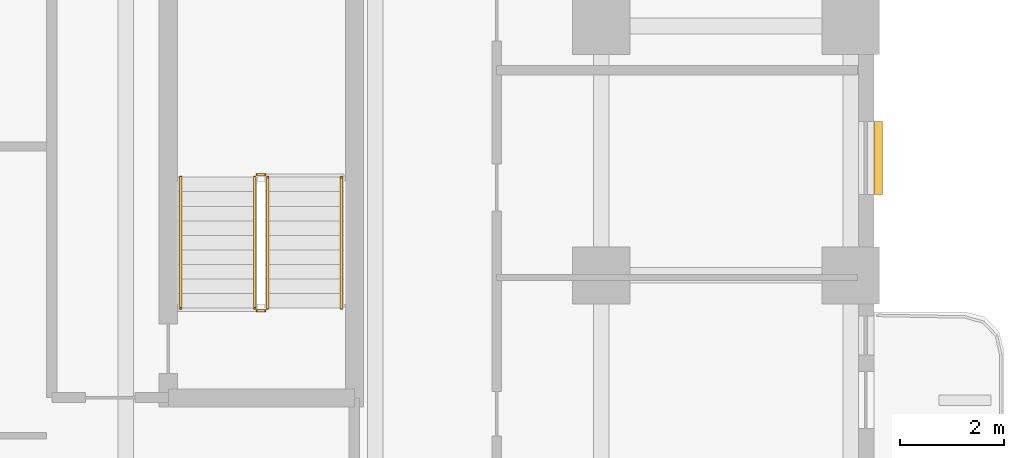
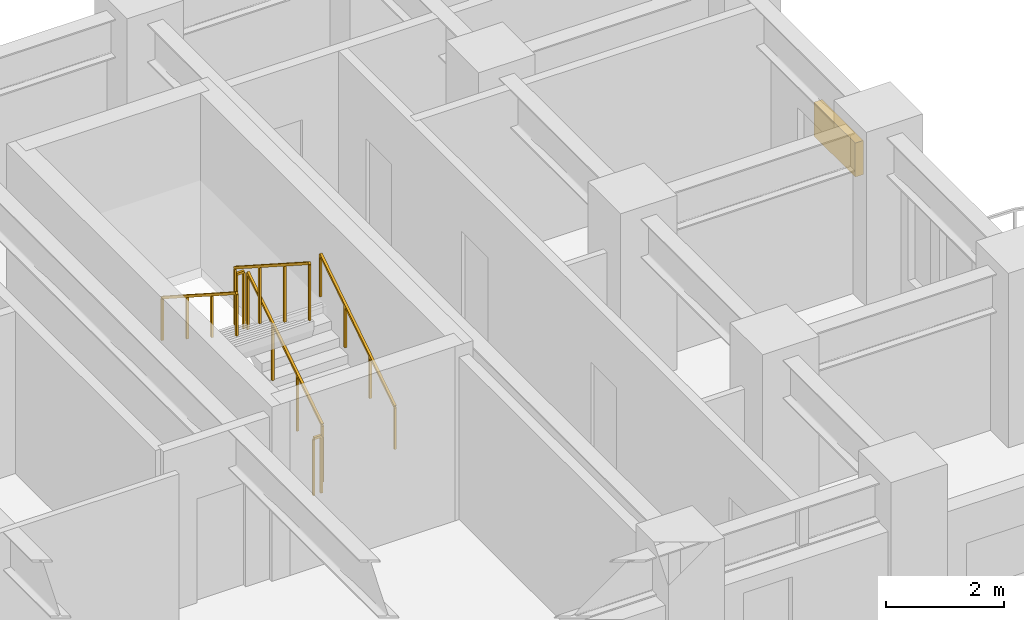
# One storey, part 11 of 11: 6 railings, 1 shading device.
"""IFC4 building model written with IfcOpenShell, lengths in metres."""

from ifc_helpers import new_model, si_unit, direction, frame, origin, origin_2d, place, context, subcontext, project, spatial, rectangle, extrude, material, type_object, element, save


model = new_model("IFC4")

# Units and contexts
model_context = context("Model", 3, precision=1e-05, world=origin(), true_north=direction((0.0, 1.0)))
body_context = subcontext(model_context, "Body", "Model", "MODEL_VIEW")
ifc_project = project(units=[si_unit("LENGTHUNIT", "METRE"), si_unit("AREAUNIT", "SQUARE_METRE"), si_unit("VOLUMEUNIT", "CUBIC_METRE"), si_unit("PLANEANGLEUNIT", "RADIAN"), si_unit("MASSUNIT", "GRAM", prefix="KILO")], contexts=[model_context])

# Site, building, storey
site_placement = place(None, origin())
site = spatial("IfcSite", under=ifc_project, at=site_placement, CompositionType="ELEMENT")
building_placement = place(site_placement, origin())
building = spatial("IfcBuilding", under=site, at=building_placement, Name="Orvandelia Arch Residences", CompositionType="ELEMENT")
storey_placement = place(building_placement, frame((0.0, 0.0, 89.800048828125)))
storey = spatial("IfcBuildingStorey", under=building, at=storey_placement, Name="L23", CompositionType="ELEMENT", Elevation=89.800048828125)

# Railings
ifc_material_1 = material(Name="Brushed Stainless Steel 304", Category="steel")
railing_type_1 = type_object("IfcRailingType", Name="RL-STAIR-GD1120", PredefinedType="GUARDRAIL", material=ifc_material_1)
railing_1_placement = place(storey_placement, frame((45.929931640625, 37.77001953125, 0.179931640625)))
element("IfcRailing", 1, at=railing_1_placement, inside=storey, type_object=railing_type_1, Name="L23 ST-3 stair guard 1", PredefinedType="GUARDRAIL", context=body_context, shape_type="SweptSolid", body=[
    extrude(rectangle(XDim=0.048095703125, YDim=0.048095703125, at=origin_2d()), frame((0.0, 0.0, 1.17578125), z_axis=(0.0, 0.841162588446, 0.540782303519), x_axis=(-1.0, 0.0, 0.0)), (0.0, 0.0, 1.0), 2.995849609375),
    extrude(rectangle(XDim=0.0419921875, YDim=0.0419921875, at=origin_2d()), origin(), (0.0, 0.0, 1.0), 1.15185546875),
    extrude(rectangle(XDim=0.0419921875, YDim=0.0419921875, at=origin_2d()), frame((0.0, 0.840087890625, 0.5400390625)), (0.0, 0.0, 1.0), 1.15185546875),
    extrude(rectangle(XDim=0.0419921875, YDim=0.0419921875, at=origin_2d()), frame((0.0, 1.679931640625, 1.080078125)), (0.0, 0.0, 1.0), 1.15185546875),
    extrude(rectangle(XDim=0.0419921875, YDim=0.0419921875, at=origin_2d()), frame((0.0, 2.52001953125, 1.6201171875)), (0.0, 0.0, 1.0), 1.15185546875),
])
railing_2_placement = place(storey_placement, frame((45.8798828125, 40.340087890625, 1.800048828125)))
element("IfcRailing", 2, at=railing_2_placement, inside=storey, type_object=railing_type_1, Name="L23 ST-3 stair guard 2", PredefinedType="GUARDRAIL", context=body_context, shape_type="SweptSolid", body=[
    extrude(rectangle(XDim=0.048095703125, YDim=0.048095703125, at=origin_2d()), frame((0.0, 0.0, 1.17578125), z_axis=(-1.0, 0.0, 0.0), x_axis=(0.0, -1.0, 0.0)), (0.0, 0.0, 1.0), 0.14990234375),
    extrude(rectangle(XDim=0.0419921875, YDim=0.0419921875, at=origin_2d()), origin(), (0.0, 0.0, 1.0), 1.15185546875),
    extrude(rectangle(XDim=0.0419921875, YDim=0.0419921875, at=origin_2d()), frame((-0.14990234375, 0.0, 0.0)), (0.0, 0.0, 1.0), 1.15185546875),
])
railing_3_placement = place(storey_placement, frame((45.679931640625, 40.2900390625, 1.97998046875)))
element("IfcRailing", 3, at=railing_3_placement, inside=storey, type_object=railing_type_1, Name="L23 ST-3 stair guard 3", PredefinedType="GUARDRAIL", context=body_context, shape_type="SweptSolid", body=[
    extrude(rectangle(XDim=0.048095703125, YDim=0.048095703125, at=origin_2d()), frame((0.0, 0.0, 1.17578125), z_axis=(0.0, -0.841199657755, 0.540724639528), x_axis=(1.0, 0.0, 0.0)), (0.0, 0.0, 1.0), 2.995849609375),
    extrude(rectangle(XDim=0.0419921875, YDim=0.0419921875, at=origin_2d()), origin(), (0.0, 0.0, 1.0), 1.15185546875),
    extrude(rectangle(XDim=0.0419921875, YDim=0.0419921875, at=origin_2d()), frame((0.0, -0.840087890625, 0.5400390625)), (0.0, 0.0, 1.0), 1.15185546875),
    extrude(rectangle(XDim=0.0419921875, YDim=0.0419921875, at=origin_2d()), frame((0.0, -1.679931640625, 1.079833984375)), (0.0, 0.0, 1.0), 1.15185546875),
    extrude(rectangle(XDim=0.0419921875, YDim=0.0419921875, at=origin_2d()), frame((0.0, -2.52001953125, 1.619873046875)), (0.0, 0.0, 1.0), 1.15185546875),
])
railing_4_placement = place(storey_placement, frame((45.8798828125, 37.719970703125, 0.0)))
element("IfcRailing", 4, at=railing_4_placement, inside=storey, type_object=railing_type_1, Name="L23 ST-3 stair guard 4", PredefinedType="GUARDRAIL", context=body_context, shape_type="SweptSolid", body=[
    extrude(rectangle(XDim=0.048095703125, YDim=0.048095703125, at=origin_2d()), frame((0.0, 0.0, 1.17578125), z_axis=(-1.0, 0.0, 0.0), x_axis=(0.0, -1.0, 0.0)), (0.0, 0.0, 1.0), 0.14990234375),
    extrude(rectangle(XDim=0.0419921875, YDim=0.0419921875, at=origin_2d()), origin(), (0.0, 0.0, 1.0), 1.15185546875),
    extrude(rectangle(XDim=0.0419921875, YDim=0.0419921875, at=origin_2d()), frame((-0.14990234375, 0.0, 0.0)), (0.0, 0.0, 1.0), 1.15185546875),
])
railing_type_2 = type_object("IfcRailingType", Name="RL-STAIR-HR920", PredefinedType="HANDRAIL", material=ifc_material_1)
railing_5_placement = place(storey_placement, frame((47.35009765625, 37.77001953125, 0.35986328125)))
element("IfcRailing", 5, at=railing_5_placement, inside=storey, type_object=railing_type_2, Name="L23 ST-3 stair handrail 1", PredefinedType="HANDRAIL", context=body_context, shape_type="SweptSolid", body=[
    extrude(rectangle(XDim=0.048095703125, YDim=0.048095703125, at=origin_2d()), frame((0.0, 0.0, 0.8759765625), z_axis=(0.0, 0.841162588446, 0.540782303519), x_axis=(-1.0, 0.0, 0.0)), (0.0, 0.0, 1.0), 2.995849609375),
    extrude(rectangle(XDim=0.0419921875, YDim=0.0419921875, at=origin_2d()), origin(), (0.0, 0.0, 1.0), 0.851806640625),
    extrude(rectangle(XDim=0.0419921875, YDim=0.0419921875, at=origin_2d()), frame((0.0, 0.840087890625, 0.5400390625)), (0.0, 0.0, 1.0), 0.851806640625),
    extrude(rectangle(XDim=0.0419921875, YDim=0.0419921875, at=origin_2d()), frame((0.0, 1.679931640625, 1.080078125)), (0.0, 0.0, 1.0), 0.851806640625),
    extrude(rectangle(XDim=0.0419921875, YDim=0.0419921875, at=origin_2d()), frame((0.0, 2.52001953125, 1.6201171875)), (0.0, 0.0, 1.0), 0.851806640625),
])
railing_6_placement = place(storey_placement, frame((44.260009765625, 40.2900390625, 2.159912109375)))
element("IfcRailing", 6, at=railing_6_placement, inside=storey, type_object=railing_type_2, Name="L23 ST-3 stair handrail 2", PredefinedType="HANDRAIL", context=body_context, shape_type="SweptSolid", body=[
    extrude(rectangle(XDim=0.048095703125, YDim=0.048095703125, at=origin_2d()), frame((0.0, 0.0, 0.8759765625), z_axis=(0.0, -0.841162588446, 0.540782303519), x_axis=(1.0, 0.0, 0.0)), (0.0, 0.0, 1.0), 2.995849609375),
    extrude(rectangle(XDim=0.0419921875, YDim=0.0419921875, at=origin_2d()), origin(), (0.0, 0.0, 1.0), 0.851806640625),
    extrude(rectangle(XDim=0.0419921875, YDim=0.0419921875, at=origin_2d()), frame((0.0, -0.840087890625, 0.5400390625)), (0.0, 0.0, 1.0), 0.851806640625),
    extrude(rectangle(XDim=0.0419921875, YDim=0.0419921875, at=origin_2d()), frame((0.0, -1.679931640625, 1.080078125)), (0.0, 0.0, 1.0), 0.851806640625),
    extrude(rectangle(XDim=0.0419921875, YDim=0.0419921875, at=origin_2d()), frame((0.0, -2.52001953125, 1.6201171875)), (0.0, 0.0, 1.0), 0.851806640625),
])

# Shading device
ifc_material_2 = material(Name="Anodised Champagne-Bronze Extruded Aluminium", Category="aluminium")
shading_device_type = type_object("IfcShadingDeviceType", Name="SHD-JALOUSIE-SCREEN", PredefinedType="JALOUSIE", material=ifc_material_2)
shading_device_placement = place(storey_placement, frame((57.679931640625, 40.659912109375, 1.0498046875), z_axis=(0.0, 0.0, 1.0), x_axis=(0.0, -1.0, 0.0)))
element("IfcShadingDevice", 7, at=shading_device_placement, inside=storey, type_object=shading_device_type, Name="Bronze Jalousie Sun-Shade L23-002", PredefinedType="JALOUSIE", context=body_context, shape_type="SweptSolid", body=[
    extrude(rectangle(XDim=1.39990234375, YDim=0.159912109375, at=origin_2d()), origin(), (0.0, 0.0, 1.0), 0.699951171875),
])

save(model, "model.ifc")
